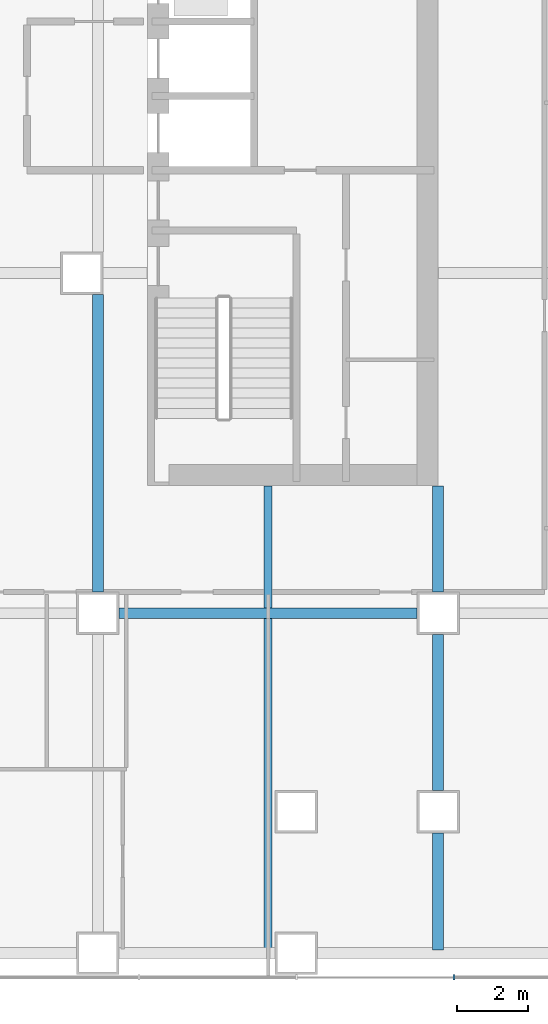
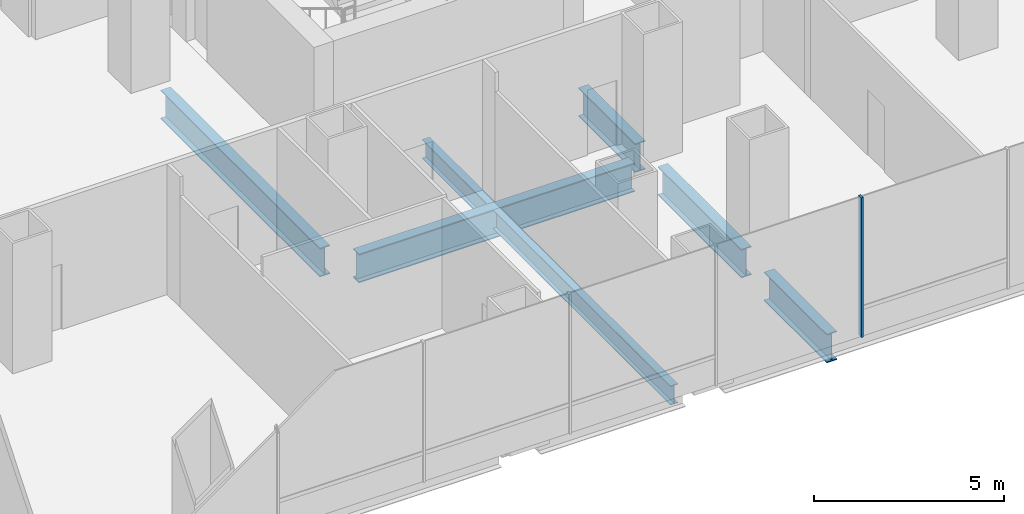
# One storey, part 6 of 23: 7 beams, 1 member, 1 element without a shape of its own.
"""IFC4 building model written with IfcOpenShell, lengths in metres."""

from ifc_helpers import new_model, si_unit, direction, frame, origin, origin_2d, place, context, subcontext, project, spatial, rectangle, i_section, extrude, material, material_profile, profile_set, type_object, element, aggregate, save


model = new_model("IFC4")

# Units and contexts
model_context = context("Model", 3, precision=1e-05, world=origin(), true_north=direction((0.0, 1.0)))
body_context = subcontext(model_context, "Body", "Model", "MODEL_VIEW")
ifc_project = project(units=[si_unit("LENGTHUNIT", "METRE"), si_unit("AREAUNIT", "SQUARE_METRE"), si_unit("VOLUMEUNIT", "CUBIC_METRE"), si_unit("PLANEANGLEUNIT", "RADIAN"), si_unit("MASSUNIT", "GRAM", prefix="KILO")], contexts=[model_context])

# Site, building, storey
site_placement = place(None, origin())
site = spatial("IfcSite", under=ifc_project, at=site_placement, CompositionType="ELEMENT")
building_placement = place(site_placement, origin())
building = spatial("IfcBuilding", under=site, at=building_placement, Name="Cobrizo Arcos Hotel Tower", CompositionType="ELEMENT")
storey_placement = place(building_placement, frame((0.0, 0.0, 29.0)))
storey = spatial("IfcBuildingStorey", under=building, at=storey_placement, Name="L05", CompositionType="ELEMENT", Elevation=29.0)

# Curtain wall, member
ifc_material_1 = material(Name="Aluminium 6063-T6 anodised bronze", Category="aluminium")
curtain_wall_type = type_object("IfcCurtainWallType", Name="CW-A guest facade", PredefinedType="NOTDEFINED", material=ifc_material_1)
curtain_wall_placement = place(storey_placement, origin())
curtain_wall = element("IfcCurtainWall", 1, at=curtain_wall_placement, inside=storey, type_object=curtain_wall_type, Name="CW-A L05 S face", PredefinedType="NOTDEFINED")
ifc_material_profile_1 = material_profile(ifc_material_1, rectangle(XDim=0.14990234375, YDim=0.06005859375, at=origin_2d()), Name="CW-A mullion 150x60")
ifc_profile_set_1 = profile_set([ifc_material_profile_1], Name="Aluminium 6063-T6 anodised bronze")
member_type = type_object("IfcMemberType", Name="CW-A mullion 150x60", PredefinedType="MULLION", material=ifc_profile_set_1)
member_placement = place(storey_placement, frame((24.4443359375, -24.675048828125, 0.0), z_axis=(0.0, 0.0, 1.0), x_axis=(0.0, -1.0, 0.0)))
member = element("IfcMember", 2, at=member_placement, type_object=member_type, Name="CW-A mullion 15", PredefinedType="MULLION", context=body_context, shape_type="SweptSolid", body=[
    extrude(rectangle(XDim=0.14990234375, YDim=0.06005859375, at=origin_2d()), origin(), (0.0, 0.0, 1.0), 4.5),
])
aggregate(curtain_wall, [member])

# Beams
ifc_material_2 = material(Name="Steel ASTM A992 Grade 50", Category="steel")
ifc_material_profile_2 = material_profile(ifc_material_2, i_section(OverallWidth=0.23046875, OverallDepth=0.6171875, WebThickness=0.01318359375, FlangeThickness=0.022216796875, at=origin_2d()), Name="W24X94")
ifc_profile_set_2 = profile_set([ifc_material_profile_2], Name="Steel ASTM A992 Grade 50")
beam_type_1 = type_object("IfcBeamType", Name="W24X94 podium joist", PredefinedType="JOIST", material=ifc_profile_set_2)
beam_1_placement = place(storey_placement, frame((19.199951171875, -23.909912109375, -0.508544921875), z_axis=(0.0, 1.0, 0.0), x_axis=(-1.0, 0.0, 0.0)))
element("IfcBeam", 3, at=beam_1_placement, inside=storey, type_object=beam_type_1, Name="Podium joist PJ1, L05, no. 025", PredefinedType="JOIST", context=body_context, shape_type="SweptSolid", body=[
    extrude(i_section(OverallWidth=0.23046875, OverallDepth=0.6171875, WebThickness=0.01318359375, FlangeThickness=0.022216796875, at=origin_2d()), origin(), (0.0, 0.0, 1.0), 9.356201171875),
])
beam_2_placement = place(storey_placement, frame((19.199951171875, -14.246337890625, -0.508544921875), z_axis=(0.0, 1.0, 0.0), x_axis=(-1.0, 0.0, 0.0)))
element("IfcBeam", 4, at=beam_2_placement, inside=storey, type_object=beam_type_1, Name="Podium joist PJ1, L05, no. 026", PredefinedType="JOIST", context=body_context, shape_type="SweptSolid", body=[
    extrude(i_section(OverallWidth=0.23046875, OverallDepth=0.6171875, WebThickness=0.01318359375, FlangeThickness=0.022216796875, at=origin_2d()), origin(), (0.0, 0.0, 1.0), 3.436279296875),
])
ifc_material_profile_3 = material_profile(ifc_material_2, i_section(OverallWidth=0.307373046875, OverallDepth=0.927001953125, WebThickness=0.01953125, FlangeThickness=0.031982421875, at=origin_2d()), Name="W36X194")
ifc_profile_set_3 = profile_set([ifc_material_profile_3], Name="Steel ASTM A992 Grade 50")
beam_type_2 = type_object("IfcBeamType", Name="W36X194 podium girder", PredefinedType="BEAM", material=ifc_profile_set_3)
beam_3_placement = place(storey_placement, frame((15.0, -14.39990234375, -0.66357421875), z_axis=(1.0, 0.0, 0.0), x_axis=(0.0, 1.0, 0.0)))
element("IfcBeam", 5, at=beam_3_placement, inside=storey, type_object=beam_type_2, Name="Podium girder PG1, L05, no. 007", PredefinedType="BEAM", context=body_context, shape_type="SweptSolid", body=[
    extrude(i_section(OverallWidth=0.307373046875, OverallDepth=0.927001953125, WebThickness=0.01953125, FlangeThickness=0.031982421875, at=origin_2d()), origin(), (0.0, 0.0, 1.0), 8.39990234375),
])
beam_4_placement = place(storey_placement, frame((14.39990234375, -13.800048828125, -0.66357421875), z_axis=(0.0, 1.0, 0.0), x_axis=(-1.0, 0.0, 0.0)))
element("IfcBeam", 6, at=beam_4_placement, inside=storey, type_object=beam_type_2, Name="Podium girder PG1, L05, no. 062", PredefinedType="BEAM", context=body_context, shape_type="SweptSolid", body=[
    extrude(i_section(OverallWidth=0.307373046875, OverallDepth=0.927001953125, WebThickness=0.01953125, FlangeThickness=0.031982421875, at=origin_2d()), origin(), (0.0, 0.0, 1.0), 8.400146484375),
])
beam_5_placement = place(storey_placement, frame((24.0, -23.909912109375, -0.66357421875), z_axis=(0.0, 1.0, 0.0), x_axis=(-1.0, 0.0, 0.0)))
element("IfcBeam", 7, at=beam_5_placement, inside=storey, type_object=beam_type_2, Name="Podium girder PG1, L05, no. 066", PredefinedType="BEAM", context=body_context, shape_type="SweptSolid", body=[
    extrude(i_section(OverallWidth=0.307373046875, OverallDepth=0.927001953125, WebThickness=0.01953125, FlangeThickness=0.031982421875, at=origin_2d()), origin(), (0.0, 0.0, 1.0), 3.309814453125),
])
beam_6_placement = place(storey_placement, frame((24.0, -19.39990234375, -0.66357421875), z_axis=(0.0, 1.0, 0.0), x_axis=(-1.0, 0.0, 0.0)))
element("IfcBeam", 8, at=beam_6_placement, inside=storey, type_object=beam_type_2, Name="Podium girder PG1, L05, no. 067", PredefinedType="BEAM", context=body_context, shape_type="SweptSolid", body=[
    extrude(i_section(OverallWidth=0.307373046875, OverallDepth=0.927001953125, WebThickness=0.01953125, FlangeThickness=0.031982421875, at=origin_2d()), origin(), (0.0, 0.0, 1.0), 4.39990234375),
])
beam_7_placement = place(storey_placement, frame((24.0, -13.800048828125, -0.66357421875), z_axis=(0.0, 1.0, 0.0), x_axis=(-1.0, 0.0, 0.0)))
element("IfcBeam", 9, at=beam_7_placement, inside=storey, type_object=beam_type_2, Name="Podium girder PG1, L05, no. 068", PredefinedType="BEAM", context=body_context, shape_type="SweptSolid", body=[
    extrude(i_section(OverallWidth=0.307373046875, OverallDepth=0.927001953125, WebThickness=0.01953125, FlangeThickness=0.031982421875, at=origin_2d()), origin(), (0.0, 0.0, 1.0), 2.989990234375),
])

save(model, "model.ifc")
